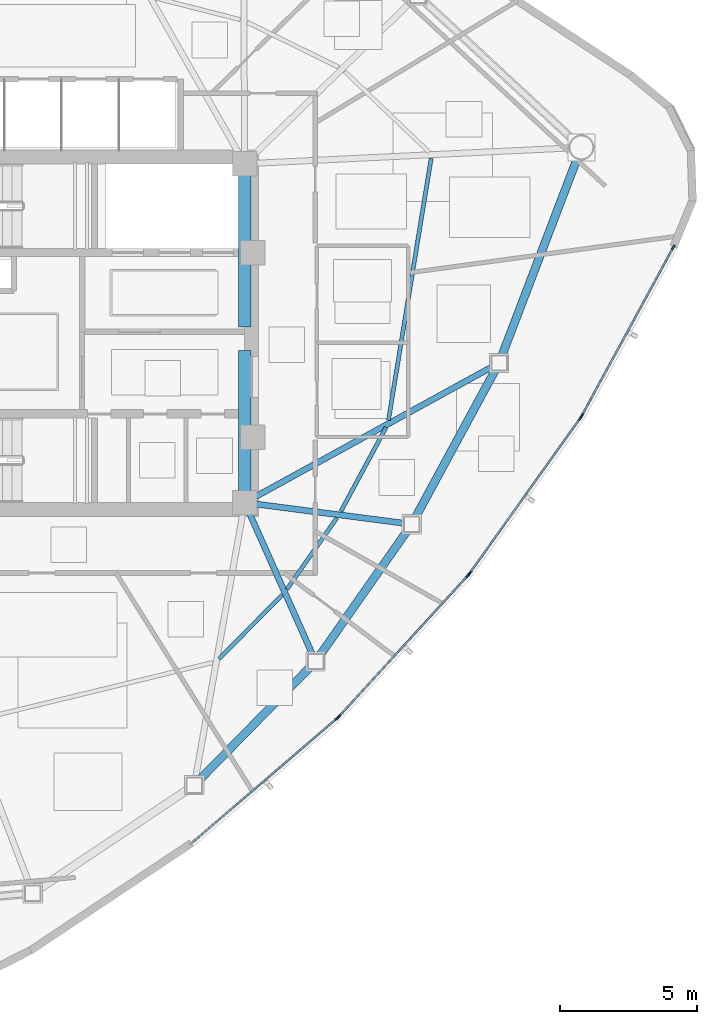
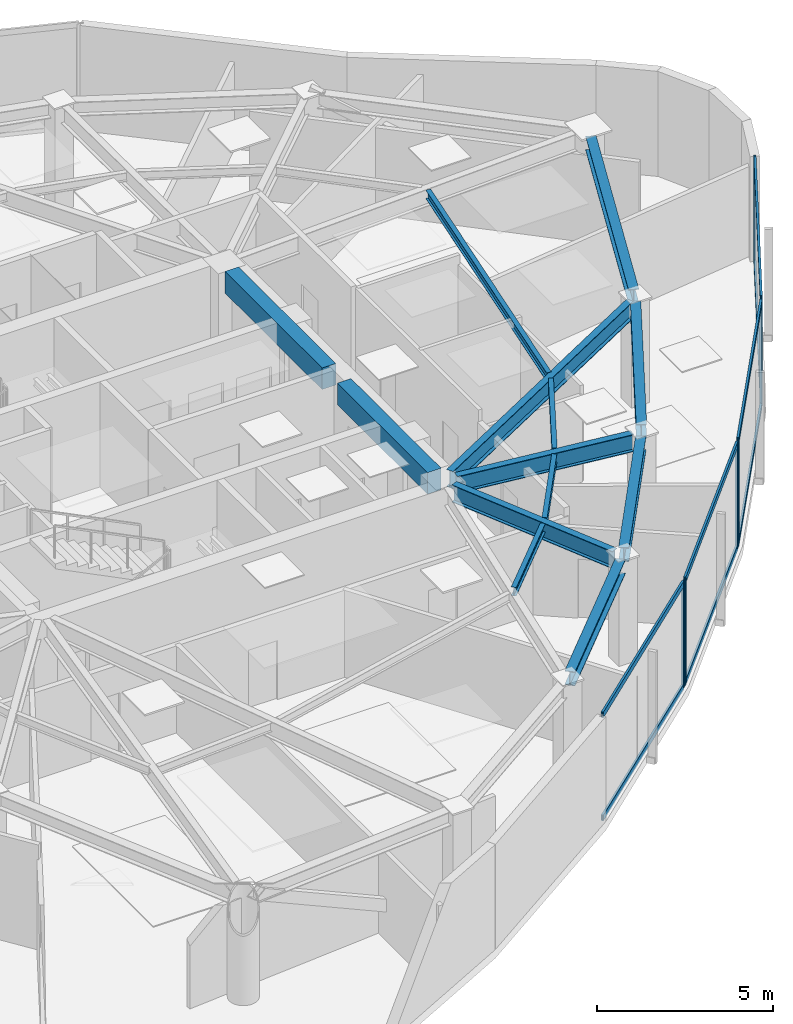
# One storey, part 4 of 13: 15 members, 13 beams, 4 elements without a shape of their own.
"""IFC4 building model written with IfcOpenShell, lengths in metres."""

import ifcopenshell
import ifcopenshell.guid

model = None  # the IFC model being written
_history = None  # IfcOwnerHistory: only IFC2X3 demands one
_inside = {}  # id of a spatial element -> (the spatial element, [elements in it])
_under = {}  # id of a project, library or spatial element -> (it, [spatial elements below it])
_declared = {}  # id of a project -> (the project, [libraries it declares])
_typed = {}  # id of a type object -> (the type object, [elements of that type])
_made_of = {}  # id of a material, layer set ... -> (it, [elements and type objects made of it])


def new_model(schema):
    """Start an empty IFC model of exactly this schema.

    Asked for "IFC4X3", IfcOpenShell would pick the latest addendum, in which some entities
    have other attributes; the version numbers below select the first issue.
    IFC2X3 requires an IfcOwnerHistory on every rooted entity: one is made here for all.
    """
    global model, _history
    if schema == "IFC4X3":
        model = ifcopenshell.file(schema_version=(4, 3, 0, 0))
    else:
        model = ifcopenshell.file(schema=schema)
    _inside.clear()
    _under.clear()
    _declared.clear()
    _typed.clear()
    _made_of.clear()
    _history = None
    if model.schema == "IFC2X3":
        org = make("IfcOrganization", Name="unknown")
        user = make(
            "IfcPersonAndOrganization",
            ThePerson=make("IfcPerson", FamilyName="unknown"),
            TheOrganization=org,
        )
        app = make(
            "IfcApplication",
            ApplicationDeveloper=org,
            Version="unknown",
            ApplicationFullName="unknown",
            ApplicationIdentifier="unknown",
        )
        _history = make(
            "IfcOwnerHistory",
            OwningUser=user,
            OwningApplication=app,
            ChangeAction="ADDED",
            CreationDate=0,
        )
    return model


def make(cls, **values):
    """One entity of the class cls with the attributes given. An attribute that is None is left unset."""
    return model.create_entity(
        cls, **{name: value for name, value in values.items() if value is not None}
    )


def rooted(cls, **values):
    """An entity with a GlobalId (a new one), such as an element, a storey or a relation."""
    return make(cls, GlobalId=ifcopenshell.guid.new(), OwnerHistory=_history, **values)


def si_unit(unit_type, name, prefix=None):
    """IfcSIUnit, for example si_unit("LENGTHUNIT", "METRE", prefix="MILLI")."""
    return make("IfcSIUnit", UnitType=unit_type, Prefix=prefix, Name=name)


def assignment(units):
    """IfcUnitAssignment: the units of a project."""
    return None if units is None else make("IfcUnitAssignment", Units=units)


def point(xyz):
    """IfcCartesianPoint."""
    return None if xyz is None else make("IfcCartesianPoint", Coordinates=xyz)


def direction(xyz):
    """IfcDirection."""
    return None if xyz is None else make("IfcDirection", DirectionRatios=xyz)


def frame(location, z_axis=None, x_axis=None):
    """IfcAxis2Placement3D, a coordinate frame: its origin and axes. An axis left out is left unset."""
    return make(
        "IfcAxis2Placement3D",
        Location=point(location),
        Axis=direction(z_axis),
        RefDirection=direction(x_axis),
    )


def frame_2d(location, x_axis=None):
    """IfcAxis2Placement2D, a coordinate frame in the plane: its origin and x axis."""
    return make(
        "IfcAxis2Placement2D", Location=point(location), RefDirection=direction(x_axis)
    )


def origin():
    """The frame at (0, 0, 0) with its axes left unset."""
    return frame((0.0, 0.0, 0.0))


def origin_2d():
    """The frame at (0, 0) in the plane with its x axis left unset."""
    return frame_2d((0.0, 0.0))


def place(relative_to, where):
    """IfcLocalPlacement: puts the frame where relative to a parent placement (None: the world)."""
    return make(
        "IfcLocalPlacement", PlacementRelTo=relative_to, RelativePlacement=where
    )


def context(
    kind, dimensions, precision=None, world=None, true_north=None, identifier=None
):
    """IfcGeometricRepresentationContext, for example the 3D "Model" context."""
    return make(
        "IfcGeometricRepresentationContext",
        ContextIdentifier=identifier,
        ContextType=kind,
        CoordinateSpaceDimension=dimensions,
        Precision=precision,
        WorldCoordinateSystem=world,
        TrueNorth=true_north,
    )


def subcontext(parent, identifier, kind, view, scale=None):
    """IfcGeometricRepresentationSubContext, for example "Body" below "Model"."""
    return make(
        "IfcGeometricRepresentationSubContext",
        ContextIdentifier=identifier,
        ContextType=kind,
        ParentContext=parent,
        TargetScale=scale,
        TargetView=view,
    )


def project(units=None, contexts=None):
    """IfcProject with its units and contexts."""
    return rooted(
        "IfcProject",
        Name="project",
        RepresentationContexts=contexts,
        UnitsInContext=assignment(units),
    )


def spatial(cls, under=None, at=None, **own):
    """A site, building, storey or space (cls), placed at a placement, below another one or the project."""
    s = rooted(cls, ObjectPlacement=at, **own)
    if under is not None:
        _under.setdefault(under.id(), (under, []))[1].append(s)
    return s


def profile(cls, at=None, kind="AREA", **sizes):
    """A parametric profile (cls). Its sizes go by their IFC names, for example OverallWidth=200.0."""
    return make(cls, ProfileType=kind, Position=at, **sizes)


def rectangle(**sizes):
    """IfcRectangleProfileDef."""
    return profile("IfcRectangleProfileDef", **sizes)


def hollow_rectangle(**sizes):
    """IfcRectangleHollowProfileDef."""
    return profile("IfcRectangleHollowProfileDef", **sizes)


def i_section(**sizes):
    """IfcIShapeProfileDef."""
    return profile("IfcIShapeProfileDef", **sizes)


def extrude(swept, where, along, depth):
    """IfcExtrudedAreaSolid: the profile swept, set in the frame where, extruded along a direction by depth."""
    return make(
        "IfcExtrudedAreaSolid",
        SweptArea=swept,
        Position=where,
        ExtrudedDirection=direction(along),
        Depth=depth,
    )


def shape(context_of_items, identifier, shape_type, items):
    """IfcShapeRepresentation: the items that make up one representation, for example the "Body"."""
    return make(
        "IfcShapeRepresentation",
        ContextOfItems=context_of_items,
        RepresentationIdentifier=identifier,
        RepresentationType=shape_type,
        Items=items,
    )


def source(mapping_origin, context_of_items, identifier, shape_type, items):
    """IfcRepresentationMap: a shape defined once, which mapped items show again and again."""
    return make(
        "IfcRepresentationMap",
        MappingOrigin=mapping_origin,
        MappedRepresentation=shape(context_of_items, identifier, shape_type, items),
    )


def transform(
    local_origin,
    x_axis=None,
    y_axis=None,
    z_axis=None,
    scale=None,
    scale2=None,
    scale3=None,
    uniform=True,
):
    """IfcCartesianTransformationOperator3D, or its non-uniform kind. x_axis, y_axis, z_axis: its Axis1, 2, 3."""
    if uniform:
        return make(
            "IfcCartesianTransformationOperator3D",
            Axis1=direction(x_axis),
            Axis2=direction(y_axis),
            LocalOrigin=point(local_origin),
            Scale=scale,
            Axis3=direction(z_axis),
        )
    return make(
        "IfcCartesianTransformationOperator3DnonUniform",
        Axis1=direction(x_axis),
        Axis2=direction(y_axis),
        LocalOrigin=point(local_origin),
        Scale=scale,
        Axis3=direction(z_axis),
        Scale2=scale2,
        Scale3=scale3,
    )


def mapped(mapping_source, mapping_target):
    """IfcMappedItem: shows the shape of a source again, moved by a transform."""
    return make(
        "IfcMappedItem", MappingSource=mapping_source, MappingTarget=mapping_target
    )


def material(Name=None, Category=None):
    """IfcMaterial."""
    return make("IfcMaterial", Name=Name, Category=Category)


def layer(
    of_material, thickness, ventilated=None, Name=None, Category=None, Priority=None
):
    """IfcMaterialLayer: one layer of a wall or slab, of a material (None: an air gap)."""
    return make(
        "IfcMaterialLayer",
        Material=of_material,
        LayerThickness=thickness,
        IsVentilated=ventilated,
        Name=Name,
        Category=Category,
        Priority=Priority,
    )


def layer_set(layers, Name=None):
    """IfcMaterialLayerSet."""
    return make("IfcMaterialLayerSet", MaterialLayers=layers, LayerSetName=Name)


def material_profile(
    of_material, cross_section, Name=None, Category=None, Priority=None
):
    """IfcMaterialProfile: a cross section and its material."""
    return make(
        "IfcMaterialProfile",
        Name=Name,
        Material=of_material,
        Profile=cross_section,
        Priority=Priority,
        Category=Category,
    )


def profile_set(profiles, Name=None, composite=None):
    """IfcMaterialProfileSet."""
    return make(
        "IfcMaterialProfileSet",
        Name=Name,
        MaterialProfiles=profiles,
        CompositeProfile=composite,
    )


def made_of(thing, what):
    """Note that an element or type object is made of a material, layer set ...; save() writes the relation."""
    if what is not None:
        _made_of.setdefault(what.id(), (what, []))[1].append(thing)
    return thing


def type_object(cls, material=None, **own):
    """A type object (cls), such as IfcWallType, which elements share."""
    return made_of(rooted(cls, **own), material)


def type_shapes(of_type, sources):
    """Give a type object the sources (RepresentationMaps) that its elements show as mapped items."""
    of_type.RepresentationMaps = sources


def element(
    cls,
    number,
    at=None,
    inside=None,
    cuts=None,
    type_object=None,
    material=None,
    context=None,
    identifier="Body",
    shape_type=None,
    held_by="IfcProductDefinitionShape",
    body=None,
    shapes=None,
    **own,
):
    """One element of the class cls, such as IfcWall. Its Tag is "e" and its number.

    at: its placement. inside: the storey or other place that contains it. cuts: it is an
    opening in that element (IfcRelVoidsElement). A single representation is given by context,
    identifier, shape_type and body (its items); several are given by shapes. held_by: the class
    of the entity that holds the representations. save() writes the other relations.
    """
    e = rooted(cls, Tag="e%d" % number, ObjectPlacement=at, **own)
    if body is not None:
        shapes = [shape(context, identifier, shape_type, body)]
    if shapes is not None:
        e.Representation = make(held_by, Representations=shapes)
    if inside is not None:
        _inside.setdefault(inside.id(), (inside, []))[1].append(e)
    if cuts is not None:
        rooted(
            "IfcRelVoidsElement", RelatingBuildingElement=cuts, RelatedOpeningElement=e
        )
    if type_object is not None:
        _typed.setdefault(type_object.id(), (type_object, []))[1].append(e)
    return made_of(e, material)


def aggregate(whole, parts):
    """IfcRelAggregates: a whole, such as a stair, and the parts it consists of."""
    return rooted("IfcRelAggregates", RelatingObject=whole, RelatedObjects=parts)


def save(model, path):
    """Write the relations noted so far, then the file.

    IfcRelAggregates (storeys below a building ...), IfcRelContainedInSpatialStructure (elements
    in a storey), IfcRelDefinesByType, IfcRelAssociatesMaterial and IfcRelDeclares: one each for
    every whole, place, type object, material and project.
    """
    for whole, parts in _under.values():
        aggregate(whole, parts)
    for where, things in _inside.values():
        rooted(
            "IfcRelContainedInSpatialStructure",
            RelatedElements=things,
            RelatingStructure=where,
        )
    for kind, things in _typed.values():
        rooted("IfcRelDefinesByType", RelatedObjects=things, RelatingType=kind)
    for what, things in _made_of.values():
        rooted("IfcRelAssociatesMaterial", RelatedObjects=things, RelatingMaterial=what)
    for by, libraries in _declared.values():
        rooted("IfcRelDeclares", RelatingContext=by, RelatedDefinitions=libraries)
    model.write(path)


model = new_model("IFC4")

# Units and contexts
model_context = context("Model", 3, precision=1e-05, world=origin(), true_north=direction((0.0, 1.0)))
body_context = subcontext(model_context, "Body", "Model", "MODEL_VIEW")
ifc_project = project(units=[si_unit("LENGTHUNIT", "METRE"), si_unit("AREAUNIT", "SQUARE_METRE"), si_unit("VOLUMEUNIT", "CUBIC_METRE"), si_unit("PLANEANGLEUNIT", "RADIAN"), si_unit("MASSUNIT", "GRAM", prefix="KILO")], contexts=[model_context])

# Site, building, storey
site_placement = place(None, origin())
site = spatial("IfcSite", under=ifc_project, at=site_placement, CompositionType="ELEMENT")
building_placement = place(site_placement, origin())
building = spatial("IfcBuilding", under=site, at=building_placement, Name="Tavelor Broadcast Tower", CompositionType="ELEMENT")
storey_placement = place(building_placement, frame((0.0, 0.0, 226.10009765625)))
storey = spatial("IfcBuildingStorey", under=building, at=storey_placement, Name="L53", CompositionType="ELEMENT", Elevation=226.10009765625)

# Beams
ifc_material_1 = material(Name="Concrete C40/50", Category="concrete")
ifc_material_profile_1 = material_profile(ifc_material_1, rectangle(XDim=0.449951171875, YDim=0.75, at=origin_2d()), Name="RC 450x750")
ifc_profile_set_1 = profile_set([ifc_material_profile_1], Name="Concrete C40/50")
beam_type_1 = type_object("IfcBeamType", Name="Basement Core Trim Beam 450x750", PredefinedType="BEAM", material=ifc_profile_set_1)
beam_1_placement = place(storey_placement, frame((56.60009765625, 45.23193359375, 3.27490234375), z_axis=(0.0, 1.0, 0.0), x_axis=(-1.0, 0.0, 0.0)))
element("IfcBeam", 1, at=beam_1_placement, inside=storey, type_object=beam_type_1, Name="L53 Core East-N Tie Girder", PredefinedType="BEAM", context=body_context, shape_type="SweptSolid", body=[
    extrude(rectangle(XDim=0.449951171875, YDim=0.75, at=origin_2d()), origin(), (0.0, 0.0, 1.0), 5.5361328125),
])
beam_2_placement = place(storey_placement, frame((56.60009765625, 39.23193359375, 3.27490234375), z_axis=(0.0, 1.0, 0.0), x_axis=(-1.0, 0.0, 0.0)))
element("IfcBeam", 2, at=beam_2_placement, inside=storey, type_object=beam_type_1, Name="L53 Core East-S Tie Girder", PredefinedType="BEAM", context=body_context, shape_type="SweptSolid", body=[
    extrude(rectangle(XDim=0.449951171875, YDim=0.75, at=origin_2d()), origin(), (0.0, 0.0, 1.0), 5.135986328125),
])
ifc_material_2 = material(Name="Steel S355", Category="steel")
ifc_material_profile_2 = material_profile(ifc_material_2, i_section(OverallWidth=0.14990234375, OverallDepth=0.300048828125, WebThickness=0.007080078125, FlangeThickness=0.0107421875, at=origin_2d()), Name="IPE 300")
ifc_profile_set_2 = profile_set([ifc_material_profile_2], Name="Steel S355")
beam_type_2 = type_object("IfcBeamType", Name="Composite Floor Joist T5 IPE 300", PredefinedType="JOIST", material=ifc_profile_set_2)
beam_3_placement = place(storey_placement, frame((55.6591796875, 33.081298828125, 3.5), z_axis=(0.702295555333, 0.711885491465, 0.0), x_axis=(-0.711885491465, 0.702295555333, 0.0)))
element("IfcBeam", 3, at=beam_3_placement, inside=storey, type_object=beam_type_2, Name="L53 Secondary Composite Floor Joist 09", PredefinedType="JOIST", context=body_context, shape_type="SweptSolid", body=[
    extrude(i_section(OverallWidth=0.14990234375, OverallDepth=0.300048828125, WebThickness=0.007080078125, FlangeThickness=0.0107421875, at=origin_2d()), origin(), (0.0, 0.0, 1.0), 3.2841796875),
])
beam_4_placement = place(storey_placement, frame((58.1435546875, 35.632568359375, 3.5), z_axis=(0.573982104788, 0.81886784244, 0.0), x_axis=(-0.81886784244, 0.573982104788, 0.0)))
element("IfcBeam", 4, at=beam_4_placement, inside=storey, type_object=beam_type_2, Name="L53 Secondary Composite Floor Joist 10", PredefinedType="JOIST", context=body_context, shape_type="SweptSolid", body=[
    extrude(i_section(OverallWidth=0.14990234375, OverallDepth=0.300048828125, WebThickness=0.007080078125, FlangeThickness=0.0107421875, at=origin_2d()), origin(), (0.0, 0.0, 1.0), 3.183349609375),
])
beam_5_placement = place(storey_placement, frame((60.11669921875, 38.476318359375, 3.5), z_axis=(0.473687126384, 0.880693196464, 0.0), x_axis=(-0.880693196464, 0.473687126384, 0.0)))
element("IfcBeam", 5, at=beam_5_placement, inside=storey, type_object=beam_type_2, Name="L53 Secondary Composite Floor Joist 11", PredefinedType="JOIST", context=body_context, shape_type="SweptSolid", body=[
    extrude(i_section(OverallWidth=0.14990234375, OverallDepth=0.300048828125, WebThickness=0.007080078125, FlangeThickness=0.0107421875, at=origin_2d()), origin(), (0.0, 0.0, 1.0), 3.492919921875),
])
beam_6_placement = place(storey_placement, frame((61.859619140625, 41.812744140625, 3.5), z_axis=(0.160809479217, 0.986985466658, 0.0), x_axis=(-0.986985466658, 0.160809479217, 0.0)))
element("IfcBeam", 6, at=beam_6_placement, inside=storey, type_object=beam_type_2, Name="L53 Secondary Composite Floor Joist 12", PredefinedType="JOIST", context=body_context, shape_type="SweptSolid", body=[
    extrude(i_section(OverallWidth=0.14990234375, OverallDepth=0.300048828125, WebThickness=0.007080078125, FlangeThickness=0.0107421875, at=origin_2d()), origin(), (0.0, 0.0, 1.0), 9.708984375),
])
ifc_material_profile_3 = material_profile(ifc_material_2, i_section(OverallWidth=0.300048828125, OverallDepth=0.489990234375, WebThickness=0.011962890625, FlangeThickness=0.02294921875, at=origin_2d()), Name="HEA 500")
ifc_profile_set_3 = profile_set([ifc_material_profile_3], Name="Steel S355")
beam_type_3 = type_object("IfcBeamType", Name="Perimeter Spandrel Beam T5 HEA 500", PredefinedType="SPANDREL", material=ifc_profile_set_3)
beam_7_placement = place(storey_placement, frame((54.955810546875, 28.667236328125, 3.40478515625), z_axis=(0.70018873327, 0.713957798334, 0.0), x_axis=(-0.713957798334, 0.70018873327, 0.0)))
element("IfcBeam", 7, at=beam_7_placement, inside=storey, type_object=beam_type_3, Name="L53 Framed-Tube Ring Spandrel 09", PredefinedType="SPANDREL", context=body_context, shape_type="SweptSolid", body=[
    extrude(i_section(OverallWidth=0.300048828125, OverallDepth=0.489990234375, WebThickness=0.011962890625, FlangeThickness=0.02294921875, at=origin_2d()), origin(), (0.0, 0.0, 1.0), 5.7626953125),
])
beam_8_placement = place(storey_placement, frame((59.357666015625, 33.222900390625, 3.40478515625), z_axis=(0.573798498873, 0.818996509572, 0.0), x_axis=(-0.818996509572, 0.573798498873, 0.0)))
element("IfcBeam", 8, at=beam_8_placement, inside=storey, type_object=beam_type_3, Name="L53 Framed-Tube Ring Spandrel 10", PredefinedType="SPANDREL", context=body_context, shape_type="SweptSolid", body=[
    extrude(i_section(OverallWidth=0.300048828125, OverallDepth=0.489990234375, WebThickness=0.011962890625, FlangeThickness=0.02294921875, at=origin_2d()), origin(), (0.0, 0.0, 1.0), 5.555908203125),
])
beam_9_placement = place(storey_placement, frame((62.84814453125, 38.26220703125, 3.40478515625), z_axis=(0.476295969148, 0.879285021921, 0.0), x_axis=(-0.879285021921, 0.476295969148, 0.0)))
element("IfcBeam", 9, at=beam_9_placement, inside=storey, type_object=beam_type_3, Name="L53 Framed-Tube Ring Spandrel 11", PredefinedType="SPANDREL", context=body_context, shape_type="SweptSolid", body=[
    extrude(i_section(OverallWidth=0.300048828125, OverallDepth=0.489990234375, WebThickness=0.011962890625, FlangeThickness=0.02294921875, at=origin_2d()), origin(), (0.0, 0.0, 1.0), 6.134521484375),
])
beam_10_placement = place(storey_placement, frame((66.010009765625, 44.178466796875, 3.40478515625), z_axis=(0.356691025332, 0.934222410589, 0.0), x_axis=(-0.934222410589, 0.356691025332, 0.0)))
element("IfcBeam", 10, at=beam_10_placement, inside=storey, type_object=beam_type_3, Name="L53 Framed-Tube Ring Spandrel 12", PredefinedType="SPANDREL", context=body_context, shape_type="SweptSolid", body=[
    extrude(i_section(OverallWidth=0.300048828125, OverallDepth=0.489990234375, WebThickness=0.011962890625, FlangeThickness=0.02294921875, at=origin_2d()), origin(), (0.0, 0.0, 1.0), 7.71875),
])
ifc_material_profile_4 = material_profile(ifc_material_2, i_section(OverallWidth=0.219970703125, OverallDepth=0.60009765625, WebThickness=0.011962890625, FlangeThickness=0.01904296875, at=origin_2d()), Name="IPE 600")
ifc_profile_set_4 = profile_set([ifc_material_profile_4], Name="Steel S355")
beam_type_4 = type_object("IfcBeamType", Name="Radial Floor Girder T5 IPE 600", PredefinedType="BEAM", material=ifc_profile_set_4)
beam_11_placement = place(storey_placement, frame((56.77587890625, 38.405517578125, 3.349853515625), z_axis=(0.407317885502, -0.913286450217, 0.0), x_axis=(0.913286450217, 0.407317885502, 0.0)))
element("IfcBeam", 11, at=beam_11_placement, inside=storey, type_object=beam_type_4, Name="L53 Radial Primary Floor Girder 10", PredefinedType="BEAM", context=body_context, shape_type="SweptSolid", body=[
    extrude(i_section(OverallWidth=0.219970703125, OverallDepth=0.60009765625, WebThickness=0.011962890625, FlangeThickness=0.01904296875, at=origin_2d()), origin(), (0.0, 0.0, 1.0), 5.64501953125),
])
beam_12_placement = place(storey_placement, frame((57.0283203125, 38.74462890625, 3.349853515625), z_axis=(0.991728752797, -0.12835139608, 0.0), x_axis=(0.12835139608, 0.991728752797, 0.0)))
element("IfcBeam", 12, at=beam_12_placement, inside=storey, type_object=beam_type_4, Name="L53 Radial Primary Floor Girder 11", PredefinedType="BEAM", context=body_context, shape_type="SweptSolid", body=[
    extrude(i_section(OverallWidth=0.219970703125, OverallDepth=0.60009765625, WebThickness=0.011962890625, FlangeThickness=0.01904296875, at=origin_2d()), origin(), (0.0, 0.0, 1.0), 5.44189453125),
])
beam_13_placement = place(storey_placement, frame((56.978759765625, 39.0078125, 3.349853515625), z_axis=(0.876594261461, 0.481230195201, 0.0), x_axis=(-0.481230195201, 0.876594261461, 0.0)))
element("IfcBeam", 13, at=beam_13_placement, inside=storey, type_object=beam_type_4, Name="L53 Radial Primary Floor Girder 12", PredefinedType="BEAM", context=body_context, shape_type="SweptSolid", body=[
    extrude(i_section(OverallWidth=0.219970703125, OverallDepth=0.60009765625, WebThickness=0.011962890625, FlangeThickness=0.01904296875, at=origin_2d()), origin(), (0.0, 0.0, 1.0), 9.8974609375),
])

# Curtain wall, member
ifc_material_3 = material(Name="Architectural Anodized Aluminium", Category="aluminium")
ifc_layer = layer(ifc_material_3, 0.199951171875)
ifc_layer_set = layer_set([ifc_layer], Name="Architectural Anodized Aluminium")
curtain_wall_type = type_object("IfcCurtainWallType", Name="Tower High-Zone Triple-Glazed Curtain Wall CW04", PredefinedType="NOTDEFINED", material=ifc_layer_set)
curtain_wall_1_placement = place(storey_placement, origin())
curtain_wall_1 = element("IfcCurtainWall", 14, at=curtain_wall_1_placement, inside=storey, type_object=curtain_wall_type, Name="L53 Curtain Wall CW04 Run 569", PredefinedType="NOTDEFINED")
ifc_material_profile_5 = material_profile(ifc_material_3, hollow_rectangle(XDim=0.070068359375, YDim=0.199951171875, WallThickness=0.02197265625, at=origin_2d()), Name="RHS 70x200x22")
ifc_profile_set_5 = profile_set([ifc_material_profile_5], Name="Architectural Anodized Aluminium")
member_type_1 = type_object("IfcMemberType", Name="CW04 Extruded Aluminium Mullion 70x200", PredefinedType="MULLION", material=ifc_profile_set_5)
shared_shape_1 = source(origin(), body_context, "Body", "SweptSolid", [
    extrude(hollow_rectangle(XDim=0.070068359375, YDim=0.199951171875, WallThickness=0.02197265625, at=origin_2d()), origin(), (0.0, 0.0, 1.0), 3.64990234375),
])
type_shapes(member_type_1, [shared_shape_1])
member_1_placement = place(storey_placement, frame((59.98388671875, 30.910888671875, 0.0), z_axis=(0.0, 0.0, 1.0), x_axis=(-0.65110698588, 0.758985963597, 0.0)))
member_1 = element("IfcMember", 15, at=member_1_placement, type_object=member_type_1, Name="CW04 mullion 2", PredefinedType="MULLION", context=body_context, shape_type="MappedRepresentation", body=[
    mapped(shared_shape_1, transform((0.0, 0.0, 0.0), scale=1.0)),
])

# Curtain wall, members
curtain_wall_2_placement = place(storey_placement, origin())
curtain_wall_2 = element("IfcCurtainWall", 16, at=curtain_wall_2_placement, inside=storey, type_object=curtain_wall_type, Name="L53 Curtain Wall CW04 Run 570", PredefinedType="NOTDEFINED")
member_2_placement = place(storey_placement, frame((60.0556640625, 30.980224609375, 0.0), z_axis=(0.0, 0.0, 1.0), x_axis=(-0.738164730915, 0.674620508162, 0.0)))
member_2 = element("IfcMember", 17, at=member_2_placement, type_object=member_type_1, Name="CW04 mullion 1", PredefinedType="MULLION", context=body_context, shape_type="MappedRepresentation", body=[
    mapped(shared_shape_1, transform((0.0, 0.0, 0.0), scale=1.0)),
])
member_3_placement = place(storey_placement, frame((64.767822265625, 36.13623046875, 0.0), z_axis=(0.0, 0.0, 1.0), x_axis=(-0.738164730915, 0.674620508162, 0.0)))
member_3 = element("IfcMember", 18, at=member_3_placement, type_object=member_type_1, Name="CW04 mullion 2", PredefinedType="MULLION", context=body_context, shape_type="MappedRepresentation", body=[
    mapped(shared_shape_1, transform((0.0, 0.0, 0.0), scale=1.0)),
])

curtain_wall_3_placement = place(storey_placement, origin())
curtain_wall_3 = element("IfcCurtainWall", 19, at=curtain_wall_3_placement, inside=storey, type_object=curtain_wall_type, Name="L53 Curtain Wall CW04 Run 571", PredefinedType="NOTDEFINED")
member_4_placement = place(storey_placement, frame((64.83056640625, 36.2138671875, 0.0), z_axis=(0.0, 0.0, 1.0), x_axis=(-0.814375621381, 0.580338131869, 0.0)))
member_4 = element("IfcMember", 20, at=member_4_placement, type_object=member_type_1, Name="CW04 mullion 1", PredefinedType="MULLION", context=body_context, shape_type="MappedRepresentation", body=[
    mapped(shared_shape_1, transform((0.0, 0.0, 0.0), scale=1.0)),
])
member_5_placement = place(storey_placement, frame((68.884033203125, 41.902099609375, 0.0), z_axis=(0.0, 0.0, 1.0), x_axis=(-0.814375621381, 0.580338131869, 0.0)))
member_5 = element("IfcMember", 21, at=member_5_placement, type_object=member_type_1, Name="CW04 mullion 2", PredefinedType="MULLION", context=body_context, shape_type="MappedRepresentation", body=[
    mapped(shared_shape_1, transform((0.0, 0.0, 0.0), scale=1.0)),
])

curtain_wall_4_placement = place(storey_placement, origin())
curtain_wall_4 = element("IfcCurtainWall", 22, at=curtain_wall_4_placement, inside=storey, type_object=curtain_wall_type, Name="L53 Curtain Wall CW04 Run 572", PredefinedType="NOTDEFINED")
member_6_placement = place(storey_placement, frame((68.93701171875, 41.98681640625, 0.0), z_axis=(0.0, 0.0, 1.0), x_axis=(-0.878619349892, 0.477522814111, 0.0)))
member_6 = element("IfcMember", 23, at=member_6_placement, type_object=member_type_1, Name="CW04 mullion 1", PredefinedType="MULLION", context=body_context, shape_type="MappedRepresentation", body=[
    mapped(shared_shape_1, transform((0.0, 0.0, 0.0), scale=1.0)),
])
member_7_placement = place(storey_placement, frame((72.280029296875, 48.137939453125, 0.0), z_axis=(0.0, 0.0, 1.0), x_axis=(-0.878619349892, 0.477522814111, 0.0)))
member_7 = element("IfcMember", 24, at=member_7_placement, type_object=member_type_1, Name="CW04 mullion 2", PredefinedType="MULLION", context=body_context, shape_type="MappedRepresentation", body=[
    mapped(shared_shape_1, transform((0.0, 0.0, 0.0), scale=1.0)),
])

# Member
ifc_material_profile_6 = material_profile(ifc_material_3, hollow_rectangle(XDim=0.070068359375, YDim=0.199951171875, WallThickness=0.02197265625, at=origin_2d()), Name="RHS 70x200x22")
ifc_profile_set_6 = profile_set([ifc_material_profile_6], Name="Architectural Anodized Aluminium")
member_type_2 = type_object("IfcMemberType", Name="CW04 Extruded Aluminium Transom 70x200", PredefinedType="USERDEFINED", material=ifc_profile_set_6)
shared_shape_2 = source(origin(), body_context, "Body", "SweptSolid", [
    extrude(hollow_rectangle(XDim=0.070068359375, YDim=0.199951171875, WallThickness=0.02197265625, at=origin_2d()), origin(), (0.0, 0.0, 1.0), 6.929931640625),
])
member_8_placement = place(storey_placement, frame((54.697509765625, 26.3759765625, 0.034912109375), z_axis=(0.759000398951, 0.651090158421, 0.0), x_axis=(-0.651090158421, 0.759000398951, 0.0)))
member_8 = element("IfcMember", 25, at=member_8_placement, type_object=member_type_2, Name="CW04 transom 1.1", ObjectType="TRANSOM", PredefinedType="USERDEFINED", context=body_context, shape_type="MappedRepresentation", body=[
    mapped(shared_shape_2, transform((0.0, 0.0, 0.0), scale=1.0)),
])

member_9_placement = place(storey_placement, frame((54.697509765625, 26.3759765625, 3.614990234375), z_axis=(0.759000398951, 0.651090158421, 0.0), x_axis=(-0.651090158421, 0.759000398951, 0.0)))
member_9 = element("IfcMember", 26, at=member_9_placement, type_object=member_type_2, Name="CW04 transom 1.2", ObjectType="TRANSOM", PredefinedType="USERDEFINED", context=body_context, shape_type="MappedRepresentation", body=[
    mapped(shared_shape_2, transform((0.0, 0.0, 0.0), scale=1.0)),
])

aggregate(curtain_wall_1, [member_1, member_8, member_9])

shared_shape_3 = source(origin(), body_context, "Body", "SweptSolid", [
    extrude(hollow_rectangle(XDim=0.070068359375, YDim=0.199951171875, WallThickness=0.02197265625, at=origin_2d()), origin(), (0.0, 0.0, 1.0), 6.914794921875),
])
member_10_placement = place(storey_placement, frame((60.0791015625, 31.006103515625, 0.034912109375), z_axis=(0.674635121338, 0.738151375435, 0.0), x_axis=(-0.738151375435, 0.674635121338, 0.0)))
member_10 = element("IfcMember", 27, at=member_10_placement, type_object=member_type_2, Name="CW04 transom 1.1", ObjectType="TRANSOM", PredefinedType="USERDEFINED", context=body_context, shape_type="MappedRepresentation", body=[
    mapped(shared_shape_3, transform((0.0, 0.0, 0.0), scale=1.0)),
])

member_11_placement = place(storey_placement, frame((60.0791015625, 31.006103515625, 3.614990234375), z_axis=(0.674635121338, 0.738151375435, 0.0), x_axis=(-0.738151375435, 0.674635121338, 0.0)))
member_11 = element("IfcMember", 28, at=member_11_placement, type_object=member_type_2, Name="CW04 transom 1.2", ObjectType="TRANSOM", PredefinedType="USERDEFINED", context=body_context, shape_type="MappedRepresentation", body=[
    mapped(shared_shape_3, transform((0.0, 0.0, 0.0), scale=1.0)),
])

aggregate(curtain_wall_2, [member_2, member_3, member_10, member_11])

member_12_placement = place(storey_placement, frame((64.850830078125, 36.242431640625, 0.034912109375), z_axis=(0.580332747587, 0.814379458286, 0.0), x_axis=(-0.814379458286, 0.580332747587, 0.0)))
member_12 = element("IfcMember", 29, at=member_12_placement, type_object=member_type_2, Name="CW04 transom 1.1", ObjectType="TRANSOM", PredefinedType="USERDEFINED", context=body_context, shape_type="MappedRepresentation", body=[
    mapped(shared_shape_3, transform((0.0, 0.0, 0.0), scale=1.0)),
])

member_13_placement = place(storey_placement, frame((64.850830078125, 36.242431640625, 3.614990234375), z_axis=(0.580332747587, 0.814379458286, 0.0), x_axis=(-0.814379458286, 0.580332747587, 0.0)))
member_13 = element("IfcMember", 30, at=member_13_placement, type_object=member_type_2, Name="CW04 transom 1.2", ObjectType="TRANSOM", PredefinedType="USERDEFINED", context=body_context, shape_type="MappedRepresentation", body=[
    mapped(shared_shape_3, transform((0.0, 0.0, 0.0), scale=1.0)),
])

aggregate(curtain_wall_3, [member_4, member_5, member_12, member_13])

shared_shape_4 = source(origin(), body_context, "Body", "SweptSolid", [
    extrude(hollow_rectangle(XDim=0.070068359375, YDim=0.199951171875, WallThickness=0.02197265625, at=origin_2d()), origin(), (0.0, 0.0, 1.0), 6.930908203125),
])
type_shapes(member_type_2, [shared_shape_2, shared_shape_3, shared_shape_4])
member_14_placement = place(storey_placement, frame((68.95361328125, 42.017578125, 0.034912109375), z_axis=(0.47754110412, 0.878609409166, 0.0), x_axis=(-0.878609409166, 0.47754110412, 0.0)))
member_14 = element("IfcMember", 31, at=member_14_placement, type_object=member_type_2, Name="CW04 transom 1.1", ObjectType="TRANSOM", PredefinedType="USERDEFINED", context=body_context, shape_type="MappedRepresentation", body=[
    mapped(shared_shape_4, transform((0.0, 0.0, 0.0), scale=1.0)),
])

member_15_placement = place(storey_placement, frame((68.95361328125, 42.017578125, 3.614990234375), z_axis=(0.47754110412, 0.878609409166, 0.0), x_axis=(-0.878609409166, 0.47754110412, 0.0)))
member_15 = element("IfcMember", 32, at=member_15_placement, type_object=member_type_2, Name="CW04 transom 1.2", ObjectType="TRANSOM", PredefinedType="USERDEFINED", context=body_context, shape_type="MappedRepresentation", body=[
    mapped(shared_shape_4, transform((0.0, 0.0, 0.0), scale=1.0)),
])

aggregate(curtain_wall_4, [member_6, member_7, member_14, member_15])

save(model, "model.ifc")
